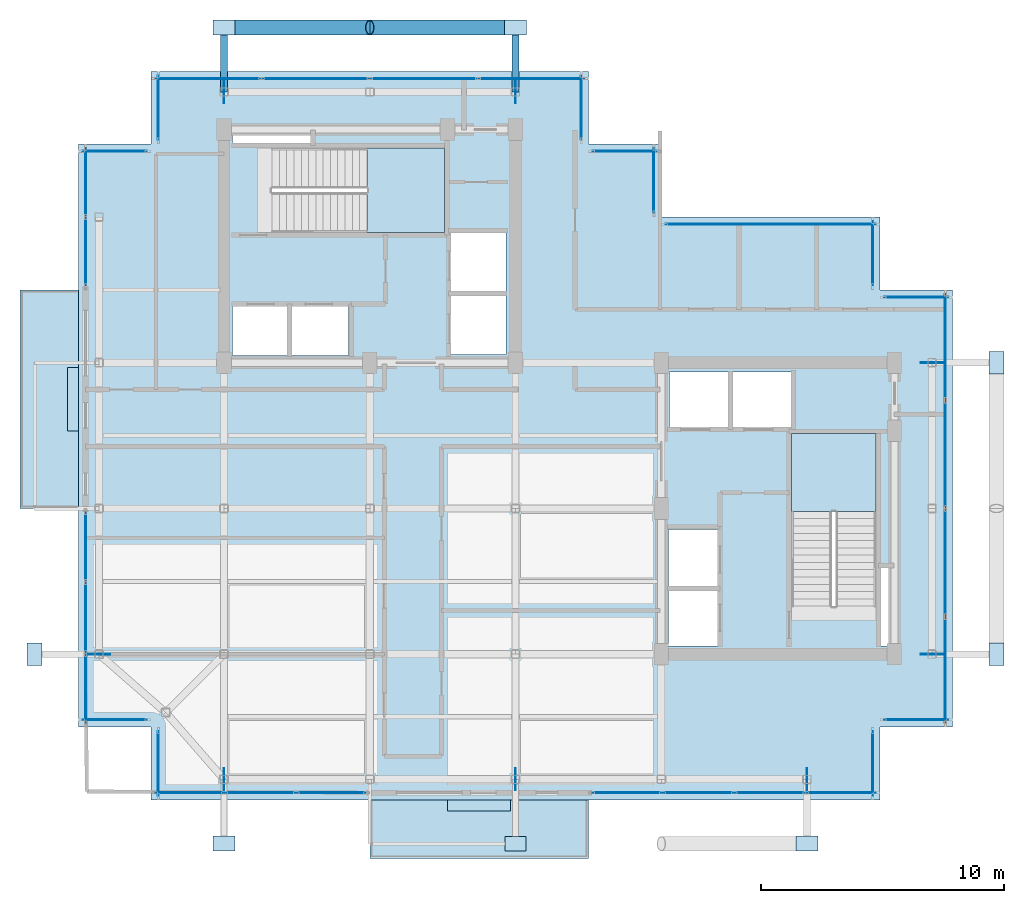
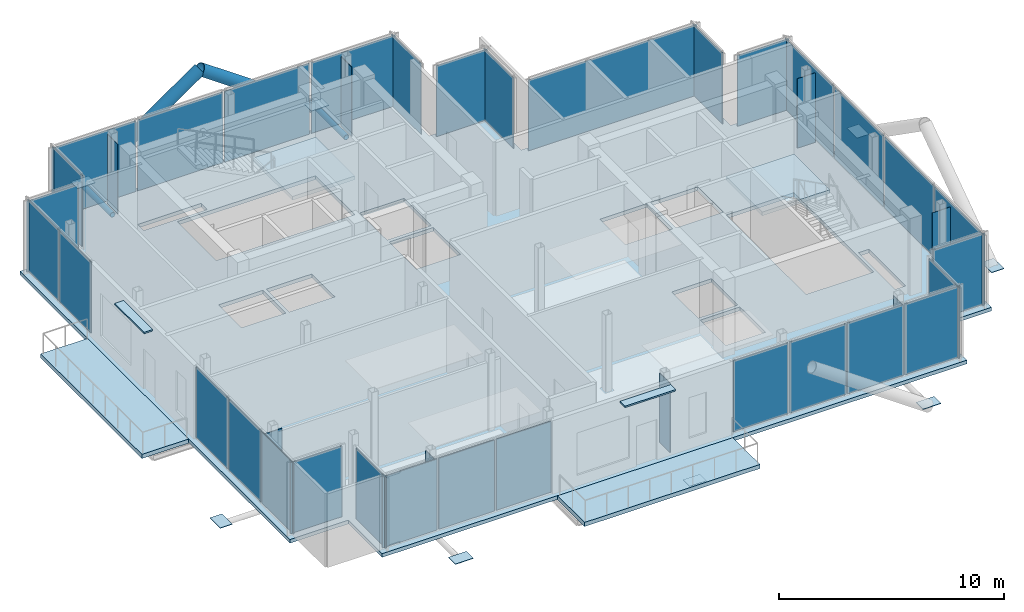
# One storey, part 11 of 16: 50 plates, 5 slabs, 4 members, 20 elements without a shape of their own.
"""IFC4 building model written with IfcOpenShell, lengths in metres."""

from ifc_helpers import new_model, si_unit, direction, frame, origin, origin_2d, place, context, subcontext, project, spatial, polyline, rectangle, hollow_circle, outline, extrude, material, layer, layer_set, material_profile, profile_set, type_object, element, aggregate, save


model = new_model("IFC4")

# Units and contexts
model_context = context("Model", 3, precision=1e-05, world=origin(), true_north=direction((0.0, 1.0)))
body_context = subcontext(model_context, "Body", "Model", "MODEL_VIEW")
ifc_project = project(units=[si_unit("LENGTHUNIT", "METRE"), si_unit("AREAUNIT", "SQUARE_METRE"), si_unit("VOLUMEUNIT", "CUBIC_METRE"), si_unit("PLANEANGLEUNIT", "RADIAN"), si_unit("MASSUNIT", "GRAM", prefix="KILO"), si_unit("THERMODYNAMICTEMPERATUREUNIT", "KELVIN"), si_unit("POWERUNIT", "WATT")], contexts=[model_context])

# Site, building, storey
site_placement = place(None, origin())
site = spatial("IfcSite", under=ifc_project, at=site_placement, CompositionType="ELEMENT")
building_placement = place(site_placement, origin())
building = spatial("IfcBuilding", under=site, at=building_placement, Name="Svarakhadi Broadcast Tower", CompositionType="ELEMENT")
storey_placement = place(building_placement, frame((0.0, 0.0, 292.199951171875)))
storey = spatial("IfcBuildingStorey", under=building, at=storey_placement, Name="L74", CompositionType="ELEMENT", Elevation=292.199951171875)

# Members
ifc_material_1 = material(Name="Steel S460ML (IS 2062 E450BR)", Category="steel")
ifc_material_profile_1 = material_profile(ifc_material_1, hollow_circle(Radius=0.304931640625, WallThickness=0.030029296875, at=origin_2d()), Name="CHS 610x30")
ifc_profile_set_1 = profile_set([ifc_material_profile_1], Name="Steel S460ML (IS 2062 E450BR)")
member_type_1 = type_object("IfcMemberType", Name="Exo_Brace_CHS610", PredefinedType="BRACE", material=ifc_profile_set_1)
for number, where, z_axis, x_axis, name in (
    (1, (6.0, 31.800048828125, -0.33642578125), (0.819235052632, 0.0, 0.57345786989), (0.0, 1.0, 0.0), "L74 Exposed Bronze Exoskeleton Diagonal N04"),
    (2, (18.0, 31.800048828125, -0.33642578125), (-0.819235052632, 0.0, 0.57345786989), (0.0, -1.0, 0.0), "L74 Exposed Bronze Exoskeleton Diagonal N05"),
):
    element("IfcMember", number, at=place(storey_placement, frame(where, z_axis=z_axis, x_axis=x_axis)), inside=storey, type_object=member_type_1, Name=name, PredefinedType="BRACE", context=body_context, shape_type="SweptSolid", body=[
        extrude(hollow_circle(Radius=0.304931640625, WallThickness=0.030029296875, at=origin_2d()), origin(), (0.0, 0.0, 1.0), 7.323974609375),
    ])
ifc_material_profile_2 = material_profile(ifc_material_1, hollow_circle(Radius=0.136474609375, WallThickness=0.012451171875, at=origin_2d()), Name="CHS 273x12.5")
ifc_profile_set_2 = profile_set([ifc_material_profile_2], Name="Steel S460ML (IS 2062 E450BR)")
member_type_2 = type_object("IfcMemberType", Name="Exo_Radial_Strut_Z3", PredefinedType="STRUT", material=ifc_profile_set_2)
for number, where, z_axis, x_axis, name in (
    (3, (6.0, 31.800048828125, -0.33642578125), (0.0, -1.0, 0.0), (1.0, 0.0, 0.0), "L74 Exoskeleton Radial Tie Strut N07"),
    (4, (18.0, 31.800048828125, -0.33642578125), (0.0, -1.0, 0.0), (1.0, 0.0, 0.0), "L74 Exoskeleton Radial Tie Strut N08"),
):
    element("IfcMember", number, at=place(storey_placement, frame(where, z_axis=z_axis, x_axis=x_axis)), inside=storey, type_object=member_type_2, Name=name, PredefinedType="STRUT", context=body_context, shape_type="SweptSolid", body=[
        extrude(hollow_circle(Radius=0.136474609375, WallThickness=0.012451171875, at=origin_2d()), origin(), (0.0, 0.0, 1.0), 2.650146484375),
    ])

# Curtain wall, plate
ifc_material_2 = material(Name="Anodised Bronze Aluminium AA 6063-T6", Category="aluminium")
ifc_layer_1 = layer(ifc_material_2, 0.239990234375)
ifc_layer_set_1 = layer_set([ifc_layer_1], Name="Anodised Bronze Aluminium AA 6063-T6")
curtain_wall_type = type_object("IfcCurtainWallType", Name="CW_Sys_06", PredefinedType="NOTDEFINED", material=ifc_layer_set_1)
curtain_wall_1_placement = place(storey_placement, origin())
curtain_wall_1 = element("IfcCurtainWall", 5, at=curtain_wall_1_placement, inside=storey, type_object=curtain_wall_type, Name="L74 Unitised Facade Curtain Wall 01", PredefinedType="NOTDEFINED")
ifc_material_3 = material(Name="Double Low-E Laminated Acoustic Glass IGU 36 mm", Category="glass")
ifc_layer_2 = layer(ifc_material_3, 0.0400390625)
ifc_layer_set_2 = layer_set([ifc_layer_2], Name="Double Low-E Laminated Acoustic Glass IGU 36 mm")
plate_type_1 = type_object("IfcPlateType", Name="CW_Sys_06_Pnl", PredefinedType="CURTAIN_PANEL", material=ifc_layer_set_2)
plate_1_placement = place(storey_placement, frame((1.5, 3.300048828125, 0.080078125), z_axis=(0.0, 0.0, 1.0), x_axis=(-1.0, 0.0, 0.0)))
plate_1 = element("IfcPlate", 6, at=plate_1_placement, type_object=plate_type_1, Name="CW-06 panel 1.1", PredefinedType="CURTAIN_PANEL", context=body_context, shape_type="SweptSolid", body=[
    extrude(rectangle(XDim=2.639892578125, YDim=0.0400390625, at=origin_2d()), origin(), (0.0, 0.0, 1.0), 3.840087890625),
])
aggregate(curtain_wall_1, [plate_1])

# Curtain wall, plates
curtain_wall_2_placement = place(storey_placement, origin())
curtain_wall_2 = element("IfcCurtainWall", 7, at=curtain_wall_2_placement, inside=storey, type_object=curtain_wall_type, Name="L74 West Curtain Wall 02", PredefinedType="NOTDEFINED")
plate_2_placement = place(storey_placement, frame((0.300048828125, 4.58251953125, 0.080078125), z_axis=(0.0, 0.0, 1.0), x_axis=(0.0, 1.0, 0.0)))
plate_2 = element("IfcPlate", 8, at=plate_2_placement, type_object=plate_type_1, Name="CW-06 panel 1.1", PredefinedType="CURTAIN_PANEL", context=body_context, shape_type="SweptSolid", body=[
    extrude(rectangle(XDim=2.804931640625, YDim=0.0400390625, at=origin_2d()), origin(), (0.0, 0.0, 1.0), 3.840087890625),
])
plate_3_placement = place(storey_placement, frame((0.300048828125, 7.5, 0.080078125), z_axis=(0.0, 0.0, 1.0), x_axis=(0.0, 1.0, 0.0)))
plate_3 = element("IfcPlate", 9, at=plate_3_placement, type_object=plate_type_1, Name="CW-06 panel 2.1", PredefinedType="CURTAIN_PANEL", context=body_context, shape_type="SweptSolid", body=[
    extrude(rectangle(XDim=2.85009765625, YDim=0.0400390625, at=origin_2d()), origin(), (0.0, 0.0, 1.0), 3.840087890625),
])
plate_4_placement = place(storey_placement, frame((0.300048828125, 10.41748046875, 0.080078125), z_axis=(0.0, 0.0, 1.0), x_axis=(0.0, 1.0, 0.0)))
plate_4 = element("IfcPlate", 10, at=plate_4_placement, type_object=plate_type_1, Name="CW-06 panel 3.1", PredefinedType="CURTAIN_PANEL", context=body_context, shape_type="SweptSolid", body=[
    extrude(rectangle(XDim=2.804931640625, YDim=0.0400390625, at=origin_2d()), origin(), (0.0, 0.0, 1.0), 3.840087890625),
])
aggregate(curtain_wall_2, [plate_2, plate_3, plate_4])

curtain_wall_3_placement = place(storey_placement, origin())
curtain_wall_3 = element("IfcCurtainWall", 11, at=curtain_wall_3_placement, inside=storey, type_object=curtain_wall_type, Name="L74 West Curtain Wall 03", PredefinedType="NOTDEFINED")
plate_5_placement = place(storey_placement, frame((0.300048828125, 22.5673828125, 0.080078125), z_axis=(0.0, 0.0, 1.0), x_axis=(0.0, 1.0, 0.0)))
plate_5 = element("IfcPlate", 12, at=plate_5_placement, type_object=plate_type_1, Name="CW-06 panel 1.1", PredefinedType="CURTAIN_PANEL", context=body_context, shape_type="SweptSolid", body=[
    extrude(rectangle(XDim=2.77490234375, YDim=0.0400390625, at=origin_2d()), origin(), (0.0, 0.0, 1.0), 3.840087890625),
])
plate_6_placement = place(storey_placement, frame((0.300048828125, 25.4326171875, 0.080078125), z_axis=(0.0, 0.0, 1.0), x_axis=(0.0, 1.0, 0.0)))
plate_6 = element("IfcPlate", 13, at=plate_6_placement, type_object=plate_type_1, Name="CW-06 panel 2.1", PredefinedType="CURTAIN_PANEL", context=body_context, shape_type="SweptSolid", body=[
    extrude(rectangle(XDim=2.77490234375, YDim=0.0400390625, at=origin_2d()), origin(), (0.0, 0.0, 1.0), 3.840087890625),
])
aggregate(curtain_wall_3, [plate_5, plate_6])

# Curtain wall, plate
curtain_wall_4_placement = place(storey_placement, origin())
curtain_wall_4 = element("IfcCurtainWall", 14, at=curtain_wall_4_placement, inside=storey, type_object=curtain_wall_type, Name="L74 Unitised Facade Curtain Wall 04", PredefinedType="NOTDEFINED")
plate_7_placement = place(storey_placement, frame((1.5, 26.699951171875, 0.080078125), z_axis=(0.0, 0.0, 1.0), x_axis=(1.0, 0.0, 0.0)))
plate_7 = element("IfcPlate", 15, at=plate_7_placement, type_object=plate_type_1, Name="CW-06 panel 1.1", PredefinedType="CURTAIN_PANEL", context=body_context, shape_type="SweptSolid", body=[
    extrude(rectangle(XDim=2.639892578125, YDim=0.0400390625, at=origin_2d()), origin(), (0.0, 0.0, 1.0), 3.840087890625),
])
aggregate(curtain_wall_4, [plate_7])

curtain_wall_5_placement = place(storey_placement, origin())
curtain_wall_5 = element("IfcCurtainWall", 16, at=curtain_wall_5_placement, inside=storey, type_object=curtain_wall_type, Name="L74 Unitised Facade Curtain Wall 05", PredefinedType="NOTDEFINED")
plate_8_placement = place(storey_placement, frame((3.300048828125, 28.5, 0.080078125), z_axis=(0.0, 0.0, 1.0), x_axis=(0.0, 1.0, 0.0)))
plate_8 = element("IfcPlate", 17, at=plate_8_placement, type_object=plate_type_1, Name="CW-06 panel 1.1", PredefinedType="CURTAIN_PANEL", context=body_context, shape_type="SweptSolid", body=[
    extrude(rectangle(XDim=2.639892578125, YDim=0.0400390625, at=origin_2d()), origin(), (0.0, 0.0, 1.0), 3.840087890625),
])
aggregate(curtain_wall_5, [plate_8])

# Curtain wall, plates
curtain_wall_6_placement = place(storey_placement, origin())
curtain_wall_6 = element("IfcCurtainWall", 18, at=curtain_wall_6_placement, inside=storey, type_object=curtain_wall_type, Name="L74 Unitised Facade Curtain Wall 06", PredefinedType="NOTDEFINED")
plate_9_placement = place(storey_placement, frame((5.340087890625, 29.699951171875, 0.080078125), z_axis=(0.0, 0.0, 1.0), x_axis=(1.0, 0.0, 0.0)))
plate_9 = element("IfcPlate", 19, at=plate_9_placement, type_object=plate_type_1, Name="CW-06 panel 1.1", PredefinedType="CURTAIN_PANEL", context=body_context, shape_type="SweptSolid", body=[
    extrude(rectangle(XDim=4.320068359375, YDim=0.0400390625, at=origin_2d()), origin(), (0.0, 0.0, 1.0), 3.840087890625),
])
plate_10_placement = place(storey_placement, frame((9.7724609375, 29.699951171875, 0.080078125), z_axis=(0.0, 0.0, 1.0), x_axis=(1.0, 0.0, 0.0)))
plate_10 = element("IfcPlate", 20, at=plate_10_placement, type_object=plate_type_1, Name="CW-06 panel 2.1", PredefinedType="CURTAIN_PANEL", context=body_context, shape_type="SweptSolid", body=[
    extrude(rectangle(XDim=4.364990234375, YDim=0.0400390625, at=origin_2d()), origin(), (0.0, 0.0, 1.0), 3.840087890625),
])
plate_11_placement = place(storey_placement, frame((14.2275390625, 29.699951171875, 0.080078125), z_axis=(0.0, 0.0, 1.0), x_axis=(1.0, 0.0, 0.0)))
plate_11 = element("IfcPlate", 21, at=plate_11_placement, type_object=plate_type_1, Name="CW-06 panel 3.1", PredefinedType="CURTAIN_PANEL", context=body_context, shape_type="SweptSolid", body=[
    extrude(rectangle(XDim=4.364990234375, YDim=0.0400390625, at=origin_2d()), origin(), (0.0, 0.0, 1.0), 3.840087890625),
])
plate_12_placement = place(storey_placement, frame((18.659912109375, 29.699951171875, 0.080078125), z_axis=(0.0, 0.0, 1.0), x_axis=(1.0, 0.0, 0.0)))
plate_12 = element("IfcPlate", 22, at=plate_12_placement, type_object=plate_type_1, Name="CW-06 panel 4.1", PredefinedType="CURTAIN_PANEL", context=body_context, shape_type="SweptSolid", body=[
    extrude(rectangle(XDim=4.320068359375, YDim=0.0400390625, at=origin_2d()), origin(), (0.0, 0.0, 1.0), 3.840087890625),
])
aggregate(curtain_wall_6, [plate_9, plate_10, plate_11, plate_12])

# Curtain wall, plate
curtain_wall_7_placement = place(storey_placement, origin())
curtain_wall_7 = element("IfcCurtainWall", 23, at=curtain_wall_7_placement, inside=storey, type_object=curtain_wall_type, Name="L74 Unitised Facade Curtain Wall 07", PredefinedType="NOTDEFINED")
plate_13_placement = place(storey_placement, frame((20.699951171875, 28.5, 0.080078125), z_axis=(0.0, 0.0, 1.0), x_axis=(0.0, -1.0, 0.0)))
plate_13 = element("IfcPlate", 24, at=plate_13_placement, type_object=plate_type_1, Name="CW-06 panel 1.1", PredefinedType="CURTAIN_PANEL", context=body_context, shape_type="SweptSolid", body=[
    extrude(rectangle(XDim=2.639892578125, YDim=0.0400390625, at=origin_2d()), origin(), (0.0, 0.0, 1.0), 3.840087890625),
])
aggregate(curtain_wall_7, [plate_13])

curtain_wall_8_placement = place(storey_placement, origin())
curtain_wall_8 = element("IfcCurtainWall", 25, at=curtain_wall_8_placement, inside=storey, type_object=curtain_wall_type, Name="L74 Unitised Facade Curtain Wall 08", PredefinedType="NOTDEFINED")
plate_14_placement = place(storey_placement, frame((22.5, 26.699951171875, 0.080078125), z_axis=(0.0, 0.0, 1.0), x_axis=(1.0, 0.0, 0.0)))
plate_14 = element("IfcPlate", 26, at=plate_14_placement, type_object=plate_type_1, Name="CW-06 panel 1.1", PredefinedType="CURTAIN_PANEL", context=body_context, shape_type="SweptSolid", body=[
    extrude(rectangle(XDim=2.639892578125, YDim=0.0400390625, at=origin_2d()), origin(), (0.0, 0.0, 1.0), 3.840087890625),
])
aggregate(curtain_wall_8, [plate_14])

curtain_wall_9_placement = place(storey_placement, origin())
curtain_wall_9 = element("IfcCurtainWall", 27, at=curtain_wall_9_placement, inside=storey, type_object=curtain_wall_type, Name="L74 Unitised Facade Curtain Wall 09", PredefinedType="NOTDEFINED")
plate_15_placement = place(storey_placement, frame((23.699951171875, 25.5, 0.080078125), z_axis=(0.0, 0.0, 1.0), x_axis=(0.0, -1.0, 0.0)))
plate_15 = element("IfcPlate", 28, at=plate_15_placement, type_object=plate_type_1, Name="CW-06 panel 1.1", PredefinedType="CURTAIN_PANEL", context=body_context, shape_type="SweptSolid", body=[
    extrude(rectangle(XDim=2.639892578125, YDim=0.0400390625, at=origin_2d()), origin(), (0.0, 0.0, 1.0), 3.840087890625),
])
aggregate(curtain_wall_9, [plate_15])

curtain_wall_10_placement = place(storey_placement, origin())
curtain_wall_10 = element("IfcCurtainWall", 29, at=curtain_wall_10_placement, inside=storey, type_object=curtain_wall_type, Name="L74 Unitised Facade Curtain Wall 10", PredefinedType="NOTDEFINED")
plate_16_placement = place(storey_placement, frame((28.5, 23.699951171875, 0.080078125), z_axis=(0.0, 0.0, 1.0), x_axis=(1.0, 0.0, 0.0)))
plate_16 = element("IfcPlate", 30, at=plate_16_placement, type_object=plate_type_1, Name="CW-06 panel 1.1", PredefinedType="CURTAIN_PANEL", context=body_context, shape_type="SweptSolid", body=[
    extrude(rectangle(XDim=8.639892578125, YDim=0.0400390625, at=origin_2d()), origin(), (0.0, 0.0, 1.0), 3.840087890625),
])
aggregate(curtain_wall_10, [plate_16])

curtain_wall_11_placement = place(storey_placement, origin())
curtain_wall_11 = element("IfcCurtainWall", 31, at=curtain_wall_11_placement, inside=storey, type_object=curtain_wall_type, Name="L74 Unitised Facade Curtain Wall 11", PredefinedType="NOTDEFINED")
plate_17_placement = place(storey_placement, frame((32.699951171875, 22.5, 0.080078125), z_axis=(0.0, 0.0, 1.0), x_axis=(0.0, -1.0, 0.0)))
plate_17 = element("IfcPlate", 32, at=plate_17_placement, type_object=plate_type_1, Name="CW-06 panel 1.1", PredefinedType="CURTAIN_PANEL", context=body_context, shape_type="SweptSolid", body=[
    extrude(rectangle(XDim=2.639892578125, YDim=0.0400390625, at=origin_2d()), origin(), (0.0, 0.0, 1.0), 3.840087890625),
])
aggregate(curtain_wall_11, [plate_17])

curtain_wall_12_placement = place(storey_placement, origin())
curtain_wall_12 = element("IfcCurtainWall", 33, at=curtain_wall_12_placement, inside=storey, type_object=curtain_wall_type, Name="L74 Unitised Facade Curtain Wall 12", PredefinedType="NOTDEFINED")
plate_18_placement = place(storey_placement, frame((34.5, 20.699951171875, 0.080078125), z_axis=(0.0, 0.0, 1.0), x_axis=(1.0, 0.0, 0.0)))
plate_18 = element("IfcPlate", 34, at=plate_18_placement, type_object=plate_type_1, Name="CW-06 panel 1.1", PredefinedType="CURTAIN_PANEL", context=body_context, shape_type="SweptSolid", body=[
    extrude(rectangle(XDim=2.639892578125, YDim=0.0400390625, at=origin_2d()), origin(), (0.0, 0.0, 1.0), 3.840087890625),
])
aggregate(curtain_wall_12, [plate_18])

# Curtain wall, plates
curtain_wall_13_placement = place(storey_placement, origin())
curtain_wall_13 = element("IfcCurtainWall", 35, at=curtain_wall_13_placement, inside=storey, type_object=curtain_wall_type, Name="L74 Unitised Facade Curtain Wall 13", PredefinedType="NOTDEFINED")
plate_19_placement = place(storey_placement, frame((35.699951171875, 18.659912109375, 0.080078125), z_axis=(0.0, 0.0, 1.0), x_axis=(0.0, -1.0, 0.0)))
plate_19 = element("IfcPlate", 36, at=plate_19_placement, type_object=plate_type_1, Name="CW-06 panel 1.1", PredefinedType="CURTAIN_PANEL", context=body_context, shape_type="SweptSolid", body=[
    extrude(rectangle(XDim=4.320068359375, YDim=0.0400390625, at=origin_2d()), origin(), (0.0, 0.0, 1.0), 3.840087890625),
])
plate_20_placement = place(storey_placement, frame((35.699951171875, 14.2275390625, 0.080078125), z_axis=(0.0, 0.0, 1.0), x_axis=(0.0, -1.0, 0.0)))
plate_20 = element("IfcPlate", 37, at=plate_20_placement, type_object=plate_type_1, Name="CW-06 panel 2.1", PredefinedType="CURTAIN_PANEL", context=body_context, shape_type="SweptSolid", body=[
    extrude(rectangle(XDim=4.364990234375, YDim=0.0400390625, at=origin_2d()), origin(), (0.0, 0.0, 1.0), 3.840087890625),
])
plate_21_placement = place(storey_placement, frame((35.699951171875, 9.7724609375, 0.080078125), z_axis=(0.0, 0.0, 1.0), x_axis=(0.0, -1.0, 0.0)))
plate_21 = element("IfcPlate", 38, at=plate_21_placement, type_object=plate_type_1, Name="CW-06 panel 3.1", PredefinedType="CURTAIN_PANEL", context=body_context, shape_type="SweptSolid", body=[
    extrude(rectangle(XDim=4.364990234375, YDim=0.0400390625, at=origin_2d()), origin(), (0.0, 0.0, 1.0), 3.840087890625),
])
plate_22_placement = place(storey_placement, frame((35.699951171875, 5.340087890625, 0.080078125), z_axis=(0.0, 0.0, 1.0), x_axis=(0.0, -1.0, 0.0)))
plate_22 = element("IfcPlate", 39, at=plate_22_placement, type_object=plate_type_1, Name="CW-06 panel 4.1", PredefinedType="CURTAIN_PANEL", context=body_context, shape_type="SweptSolid", body=[
    extrude(rectangle(XDim=4.320068359375, YDim=0.0400390625, at=origin_2d()), origin(), (0.0, 0.0, 1.0), 3.840087890625),
])
aggregate(curtain_wall_13, [plate_19, plate_20, plate_21, plate_22])

# Curtain wall, plate
curtain_wall_14_placement = place(storey_placement, origin())
curtain_wall_14 = element("IfcCurtainWall", 40, at=curtain_wall_14_placement, inside=storey, type_object=curtain_wall_type, Name="L74 Unitised Facade Curtain Wall 14", PredefinedType="NOTDEFINED")
plate_23_placement = place(storey_placement, frame((34.5, 3.300048828125, 0.080078125), z_axis=(0.0, 0.0, 1.0), x_axis=(-1.0, 0.0, 0.0)))
plate_23 = element("IfcPlate", 41, at=plate_23_placement, type_object=plate_type_1, Name="CW-06 panel 1.1", PredefinedType="CURTAIN_PANEL", context=body_context, shape_type="SweptSolid", body=[
    extrude(rectangle(XDim=2.639892578125, YDim=0.0400390625, at=origin_2d()), origin(), (0.0, 0.0, 1.0), 3.840087890625),
])
aggregate(curtain_wall_14, [plate_23])

curtain_wall_15_placement = place(storey_placement, origin())
curtain_wall_15 = element("IfcCurtainWall", 42, at=curtain_wall_15_placement, inside=storey, type_object=curtain_wall_type, Name="L74 Unitised Facade Curtain Wall 15", PredefinedType="NOTDEFINED")
plate_24_placement = place(storey_placement, frame((32.699951171875, 1.5, 0.080078125), z_axis=(0.0, 0.0, 1.0), x_axis=(0.0, -1.0, 0.0)))
plate_24 = element("IfcPlate", 43, at=plate_24_placement, type_object=plate_type_1, Name="CW-06 panel 1.1", PredefinedType="CURTAIN_PANEL", context=body_context, shape_type="SweptSolid", body=[
    extrude(rectangle(XDim=2.639892578125, YDim=0.0400390625, at=origin_2d()), origin(), (0.0, 0.0, 1.0), 3.840087890625),
])
aggregate(curtain_wall_15, [plate_24])

# Curtain wall, plates
curtain_wall_16_placement = place(storey_placement, origin())
curtain_wall_16 = element("IfcCurtainWall", 44, at=curtain_wall_16_placement, inside=storey, type_object=curtain_wall_type, Name="L74 South Curtain Wall 16", PredefinedType="NOTDEFINED")
plate_25_placement = place(storey_placement, frame((31.409912109375, 0.300048828125, 0.080078125), z_axis=(0.0, 0.0, 1.0), x_axis=(-1.0, 0.0, 0.0)))
plate_25 = element("IfcPlate", 45, at=plate_25_placement, type_object=plate_type_1, Name="CW-06 panel 1.1", PredefinedType="CURTAIN_PANEL", context=body_context, shape_type="SweptSolid", body=[
    extrude(rectangle(XDim=2.820068359375, YDim=0.0400390625, at=origin_2d()), origin(), (0.0, 0.0, 1.0), 3.840087890625),
])
plate_26_placement = place(storey_placement, frame((28.4775390625, 0.300048828125, 0.080078125), z_axis=(0.0, 0.0, 1.0), x_axis=(-1.0, 0.0, 0.0)))
plate_26 = element("IfcPlate", 46, at=plate_26_placement, type_object=plate_type_1, Name="CW-06 panel 2.1", PredefinedType="CURTAIN_PANEL", context=body_context, shape_type="SweptSolid", body=[
    extrude(rectangle(XDim=2.864990234375, YDim=0.0400390625, at=origin_2d()), origin(), (0.0, 0.0, 1.0), 3.840087890625),
])
plate_27_placement = place(storey_placement, frame((25.5224609375, 0.300048828125, 0.080078125), z_axis=(0.0, 0.0, 1.0), x_axis=(-1.0, 0.0, 0.0)))
plate_27 = element("IfcPlate", 47, at=plate_27_placement, type_object=plate_type_1, Name="CW-06 panel 3.1", PredefinedType="CURTAIN_PANEL", context=body_context, shape_type="SweptSolid", body=[
    extrude(rectangle(XDim=2.864990234375, YDim=0.0400390625, at=origin_2d()), origin(), (0.0, 0.0, 1.0), 3.840087890625),
])
plate_28_placement = place(storey_placement, frame((22.590087890625, 0.300048828125, 0.080078125), z_axis=(0.0, 0.0, 1.0), x_axis=(-1.0, 0.0, 0.0)))
plate_28 = element("IfcPlate", 48, at=plate_28_placement, type_object=plate_type_1, Name="CW-06 panel 4.1", PredefinedType="CURTAIN_PANEL", context=body_context, shape_type="SweptSolid", body=[
    extrude(rectangle(XDim=2.820068359375, YDim=0.0400390625, at=origin_2d()), origin(), (0.0, 0.0, 1.0), 3.840087890625),
])
aggregate(curtain_wall_16, [plate_25, plate_26, plate_27, plate_28])

curtain_wall_17_placement = place(storey_placement, origin())
curtain_wall_17 = element("IfcCurtainWall", 49, at=curtain_wall_17_placement, inside=storey, type_object=curtain_wall_type, Name="L74 South Curtain Wall 17", PredefinedType="NOTDEFINED")
plate_29_placement = place(storey_placement, frame((10.41748046875, 0.300048828125, 0.080078125), z_axis=(0.0, 0.0, 1.0), x_axis=(-1.0, 0.0, 0.0)))
plate_29 = element("IfcPlate", 50, at=plate_29_placement, type_object=plate_type_1, Name="CW-06 panel 1.1", PredefinedType="CURTAIN_PANEL", context=body_context, shape_type="SweptSolid", body=[
    extrude(rectangle(XDim=2.804931640625, YDim=0.0400390625, at=origin_2d()), origin(), (0.0, 0.0, 1.0), 3.840087890625),
])
plate_30_placement = place(storey_placement, frame((7.5, 0.300048828125, 0.080078125), z_axis=(0.0, 0.0, 1.0), x_axis=(-1.0, 0.0, 0.0)))
plate_30 = element("IfcPlate", 51, at=plate_30_placement, type_object=plate_type_1, Name="CW-06 panel 2.1", PredefinedType="CURTAIN_PANEL", context=body_context, shape_type="SweptSolid", body=[
    extrude(rectangle(XDim=2.85009765625, YDim=0.0400390625, at=origin_2d()), origin(), (0.0, 0.0, 1.0), 3.840087890625),
])
plate_31_placement = place(storey_placement, frame((4.58251953125, 0.300048828125, 0.080078125), z_axis=(0.0, 0.0, 1.0), x_axis=(-1.0, 0.0, 0.0)))
plate_31 = element("IfcPlate", 52, at=plate_31_placement, type_object=plate_type_1, Name="CW-06 panel 3.1", PredefinedType="CURTAIN_PANEL", context=body_context, shape_type="SweptSolid", body=[
    extrude(rectangle(XDim=2.804931640625, YDim=0.0400390625, at=origin_2d()), origin(), (0.0, 0.0, 1.0), 3.840087890625),
])
aggregate(curtain_wall_17, [plate_29, plate_30, plate_31])

# Curtain wall, plate
curtain_wall_18_placement = place(storey_placement, origin())
curtain_wall_18 = element("IfcCurtainWall", 53, at=curtain_wall_18_placement, inside=storey, type_object=curtain_wall_type, Name="L74 Unitised Facade Curtain Wall 18", PredefinedType="NOTDEFINED")
plate_32_placement = place(storey_placement, frame((3.300048828125, 1.5, 0.080078125), z_axis=(0.0, 0.0, 1.0), x_axis=(0.0, 1.0, 0.0)))
plate_32 = element("IfcPlate", 54, at=plate_32_placement, type_object=plate_type_1, Name="CW-06 panel 1.1", PredefinedType="CURTAIN_PANEL", context=body_context, shape_type="SweptSolid", body=[
    extrude(rectangle(XDim=2.639892578125, YDim=0.0400390625, at=origin_2d()), origin(), (0.0, 0.0, 1.0), 3.840087890625),
])
aggregate(curtain_wall_18, [plate_32])

# Plates
ifc_layer_3 = layer(ifc_material_1, 0.02490234375)
ifc_layer_set_3 = layer_set([ifc_layer_3], Name="Steel S460ML (IS 2062 E450BR)")
plate_type_2 = type_object("IfcPlateType", Name="Node_Gusset_N05", PredefinedType="SHEET", material=ifc_layer_set_3)
plate_33_placement = place(storey_placement, frame((18.0, -1.800048828125, -0.199951171875), z_axis=(0.0, 0.0, 1.0), x_axis=(1.0, 0.0, 0.0)))
element("IfcPlate", 55, at=plate_33_placement, inside=storey, type_object=plate_type_2, Name="L74 Exoskeleton Gusset Node Plate S02", PredefinedType="SHEET", context=body_context, shape_type="SweptSolid", body=[
    extrude(rectangle(XDim=0.8798828125, YDim=0.60009765625, at=origin_2d()), origin(), (0.0, 0.0, 1.0), 0.02490234375),
])
ifc_layer_4 = layer(ifc_material_1, 0.02587890625)
ifc_layer_set_4 = layer_set([ifc_layer_4], Name="Steel S460ML (IS 2062 E450BR)")
plate_type_3 = type_object("IfcPlateType", Name="Node_Gusset_N07", PredefinedType="SHEET", material=ifc_layer_set_4)
for number, where, z_axis, x_axis, name in (
    (56, (6.0, -1.800048828125, -0.199951171875), (0.0, 0.0, 1.0), (1.0, 0.0, 0.0), "L74 Exoskeleton Gusset Node Plate S01"),
    (57, (30.0, -1.800048828125, -0.199951171875), (0.0, 0.0, 1.0), (1.0, 0.0, 0.0), "L74 Exoskeleton Gusset Node Plate S03"),
    (58, (-1.800048828125, 6.0, -0.199951171875), (0.0, 0.0, 1.0), (0.0, 1.0, 0.0), "L74 Exoskeleton Gusset Node Plate W04"),
    (59, (37.800048828125, 6.0, -0.199951171875), (0.0, 0.0, 1.0), (0.0, 1.0, 0.0), "L74 Exoskeleton Gusset Node Plate E05"),
    (60, (37.800048828125, 18.0, -0.199951171875), (0.0, 0.0, 1.0), (0.0, 1.0, 0.0), "L74 Exoskeleton Gusset Node Plate E06"),
    (61, (6.0, 31.800048828125, -0.199951171875), (0.0, 0.0, 1.0), (1.0, 0.0, 0.0), "L74 Exoskeleton Gusset Node Plate N07"),
    (62, (18.0, 31.800048828125, -0.199951171875), (0.0, 0.0, 1.0), (1.0, 0.0, 0.0), "L74 Exoskeleton Gusset Node Plate N08"),
):
    element("IfcPlate", number, at=place(storey_placement, frame(where, z_axis=z_axis, x_axis=x_axis)), inside=storey, type_object=plate_type_3, Name=name, PredefinedType="SHEET", context=body_context, shape_type="SweptSolid", body=[
        extrude(rectangle(XDim=0.919921875, YDim=0.6201171875, at=origin_2d()), origin(), (0.0, 0.0, 1.0), 0.02587890625),
    ])
for number, where, z_axis, x_axis, name in (
    (63, (6.0, 0.85009765625, -0.53662109375), (0.0, 0.0, 1.0), (0.0, 1.0, 0.0), "L74 Brace End Connection Gusset Plate N-07-E0570"),
    (64, (18.0, 0.85009765625, -0.53662109375), (0.0, 0.0, 1.0), (0.0, 1.0, 0.0), "L74 Brace End Connection Gusset Plate N-07-E0571"),
    (65, (30.0, 0.85009765625, -0.53662109375), (0.0, 0.0, 1.0), (0.0, 1.0, 0.0), "L74 Brace End Connection Gusset Plate N-07-E0572"),
    (66, (0.85009765625, 6.0, -0.53662109375), (0.0, 0.0, 1.0), (1.0, 0.0, 0.0), "L74 Brace End Connection Gusset Plate N-07-E0573"),
    (67, (35.14990234375, 6.0, -0.53662109375), (0.0, 0.0, 1.0), (1.0, 0.0, 0.0), "L74 Brace End Connection Gusset Plate N-07-E0574"),
    (68, (35.14990234375, 18.0, -0.53662109375), (0.0, 0.0, 1.0), (1.0, 0.0, 0.0), "L74 Brace End Connection Gusset Plate N-07-E0575"),
    (69, (6.0, 29.14990234375, -0.53662109375), (0.0, 0.0, 1.0), (0.0, 1.0, 0.0), "L74 Brace End Connection Gusset Plate N-07-E0576"),
    (70, (18.0, 29.14990234375, -0.53662109375), (0.0, 0.0, 1.0), (0.0, 1.0, 0.0), "L74 Brace End Connection Gusset Plate N-07-E0577"),
):
    element("IfcPlate", number, at=place(storey_placement, frame(where, z_axis=z_axis, x_axis=x_axis)), inside=storey, type_object=plate_type_3, Name=name, PredefinedType="SHEET", context=body_context, shape_type="SweptSolid", body=[
        extrude(rectangle(XDim=0.919921875, YDim=0.02587890625, at=origin_2d()), origin(), (0.0, 0.0, 1.0), 4.300048828125),
    ])

# Slab
ifc_material_4 = material(Name="Concrete C40/50 (IS 456 M50)", Category="concrete")
ifc_layer_5 = layer(ifc_material_4, 0.199951171875)
ifc_layer_set_5 = layer_set([ifc_layer_5], Name="Concrete C40/50 (IS 456 M50)")
slab_type_1 = type_object("IfcSlabType", Name="Slab_Floor_200", PredefinedType="FLOOR", material=ifc_layer_set_5)
slab_1_placement = place(storey_placement, frame((0.0, 0.0, -0.199951171875)))
element("IfcSlab", 71, at=slab_1_placement, inside=storey, type_object=slab_type_1, Name="L74 Structural Floor Slab", PredefinedType="FLOOR", context=body_context, shape_type="SweptSolid", body=[
    extrude(outline(polyline([(3.0, 0.0), (33.0, 0.0), (33.0, 3.0), (36.0, 3.0), (36.0, 21.0), (33.0, 21.0), (33.0, 24.0), (24.0, 24.0), (24.0, 27.0), (21.0, 27.0), (21.0, 30.0), (3.0, 30.0), (3.0, 27.0), (0.0, 27.0), (0.0, 3.0), (3.0, 3.0), (3.0, 0.0)]), holes=[polyline([(7.97998046875, 23.360107421875), (15.080078125, 23.360107421875), (15.080078125, 26.840087890625), (7.97998046875, 26.840087890625), (7.97998046875, 23.360107421875)]), polyline([(32.840087890625, 7.97998046875), (32.840087890625, 15.080078125), (29.360107421875, 15.080078125), (29.360107421875, 7.97998046875), (32.840087890625, 7.97998046875)]), polyline([(6.340087890625, 18.2900390625), (8.610107421875, 18.2900390625), (8.610107421875, 20.330078125), (6.340087890625, 20.330078125), (6.340087890625, 18.2900390625)]), polyline([(8.7900390625, 18.2900390625), (11.1298828125, 18.2900390625), (11.1298828125, 20.330078125), (8.7900390625, 20.330078125), (8.7900390625, 18.2900390625)]), polyline([(24.2900390625, 6.340087890625), (26.330078125, 6.340087890625), (26.330078125, 8.610107421875), (24.2900390625, 8.610107421875), (24.2900390625, 6.340087890625)]), polyline([(24.2900390625, 8.7900390625), (26.330078125, 8.7900390625), (26.330078125, 11.1298828125), (24.2900390625, 11.1298828125), (24.2900390625, 8.7900390625)]), polyline([(6.340087890625, 26.989990234375), (9.610107421875, 26.989990234375), (9.610107421875, 27.530029296875), (6.340087890625, 27.530029296875), (6.340087890625, 26.989990234375)]), polyline([(32.989990234375, 6.340087890625), (33.530029296875, 6.340087890625), (33.530029296875, 9.610107421875), (32.989990234375, 9.610107421875), (32.989990234375, 6.340087890625)]), polyline([(15.340087890625, 18.340087890625), (17.610107421875, 18.340087890625), (17.610107421875, 20.760009765625), (15.340087890625, 20.760009765625), (15.340087890625, 18.340087890625)]), polyline([(15.340087890625, 20.93994140625), (17.610107421875, 20.93994140625), (17.610107421875, 23.360107421875), (15.340087890625, 23.360107421875), (15.340087890625, 20.93994140625)]), polyline([(24.340087890625, 15.340087890625), (26.760009765625, 15.340087890625), (26.760009765625, 17.610107421875), (24.340087890625, 17.610107421875), (24.340087890625, 15.340087890625)]), polyline([(26.93994140625, 15.340087890625), (29.360107421875, 15.340087890625), (29.360107421875, 17.610107421875), (26.93994140625, 17.610107421875), (26.93994140625, 15.340087890625)])]), origin(), (0.0, 0.0, 1.0), 0.199951171875),
])

# Stair, slab
stair_type = type_object("IfcStairType", Name="Stair_Exit_Core", PredefinedType="HALF_TURN_STAIR", material=ifc_material_4)
stair_1_placement = place(storey_placement, origin())
stair_1 = element("IfcStair", 72, at=stair_1_placement, inside=storey, type_object=stair_type, Name="L74 West Core Protected Exit Stair ST-01", PredefinedType="HALF_TURN_STAIR")
ifc_layer_6 = layer(ifc_material_4, 0.199951171875)
ifc_layer_set_6 = layer_set([ifc_layer_6], Name="Concrete C40/50 (IS 456 M50)")
slab_type_2 = type_object("IfcSlabType", Name="Slab_Stair_Land", PredefinedType="LANDING", material=ifc_layer_set_6)
slab_2_placement = place(storey_placement, frame((0.0, 0.0, 1.900146484375)))
slab_2 = element("IfcSlab", 73, at=slab_2_placement, type_object=slab_type_2, Name="ST-01 landing 1", PredefinedType="LANDING", context=body_context, shape_type="SweptSolid", body=[
    extrude(outline(polyline([(11.8798828125, 23.360107421875), (15.080078125, 23.360107421875), (15.080078125, 26.840087890625), (11.8798828125, 26.840087890625), (11.8798828125, 23.360107421875)])), origin(), (0.0, 0.0, 1.0), 0.199951171875),
])
aggregate(stair_1, [slab_2])

stair_2_placement = place(storey_placement, origin())
stair_2 = element("IfcStair", 74, at=stair_2_placement, inside=storey, type_object=stair_type, Name="L74 East Core Protected Exit Stair ST-02", PredefinedType="HALF_TURN_STAIR")
slab_3_placement = place(storey_placement, frame((0.0, 0.0, 1.900146484375)))
slab_3 = element("IfcSlab", 75, at=slab_3_placement, type_object=slab_type_2, Name="ST-02 landing 1", PredefinedType="LANDING", context=body_context, shape_type="SweptSolid", body=[
    extrude(outline(polyline([(32.840087890625, 11.8798828125), (32.840087890625, 15.080078125), (29.360107421875, 15.080078125), (29.360107421875, 11.8798828125), (32.840087890625, 11.8798828125)])), origin(), (0.0, 0.0, 1.0), 0.199951171875),
])
aggregate(stair_2, [slab_3])

# Slabs
ifc_layer_7 = layer(ifc_material_4, 0.22509765625)
ifc_layer_set_7 = layer_set([ifc_layer_7], Name="Concrete C40/50 (IS 456 M50)")
slab_type_3 = type_object("IfcSlabType", Name="Slab_TreeBalcony", PredefinedType="FLOOR", material=ifc_layer_set_7)
slab_4_placement = place(storey_placement, frame((0.0, 0.0, -0.224853515625)))
element("IfcSlab", 76, at=slab_4_placement, inside=storey, type_object=slab_type_3, Name="L74 Planted Tree Balcony Slab BAL-S", PredefinedType="FLOOR", context=body_context, shape_type="SweptSolid", body=[
    extrude(outline(polyline([(12.0, -2.39990234375), (21.0, -2.39990234375), (21.0, 0.0), (12.0, 0.0), (12.0, -2.39990234375)])), origin(), (0.0, 0.0, 1.0), 0.224853515625),
])
slab_5_placement = place(storey_placement, frame((0.0, 0.0, -0.224853515625)))
element("IfcSlab", 77, at=slab_5_placement, inside=storey, type_object=slab_type_3, Name="L74 Planted Tree Balcony Slab BAL-W", PredefinedType="FLOOR", context=body_context, shape_type="SweptSolid", body=[
    extrude(outline(polyline([(-2.39990234375, 12.0), (0.0, 12.0), (0.0, 21.0), (-2.39990234375, 21.0), (-2.39990234375, 12.0)])), origin(), (0.0, 0.0, 1.0), 0.224853515625),
])

# Plates
ifc_layer_8 = layer(ifc_material_2, 0.080078125)
ifc_layer_set_8 = layer_set([ifc_layer_8], Name="Anodised Bronze Aluminium AA 6063-T6")
plate_type_4 = type_object("IfcPlateType", Name="Sunshade_Fin_SS01", PredefinedType="USERDEFINED", material=ifc_layer_set_8)
for number, where, z_axis, x_axis, name in (
    (78, (16.5, -0.22509765625, 3.919921875), (0.0, 0.0, 1.0), (1.0, 0.0, 0.0), "L74 South Bronze Brise-Soleil Sunshade SS-01"),
    (79, (-0.22509765625, 16.5, 3.919921875), (0.0, 0.0, 1.0), (0.0, 1.0, 0.0), "L74 West Bronze Brise-Soleil Sunshade SS-01"),
):
    element("IfcPlate", number, at=place(storey_placement, frame(where, z_axis=z_axis, x_axis=x_axis)), inside=storey, type_object=plate_type_4, Name=name, ObjectType="SUNSHADE", PredefinedType="USERDEFINED", context=body_context, shape_type="SweptSolid", body=[
        extrude(rectangle(XDim=2.60009765625, YDim=0.449951171875, at=origin_2d()), origin(), (0.0, 0.0, 1.0), 0.080078125),
    ])

save(model, "model.ifc")
